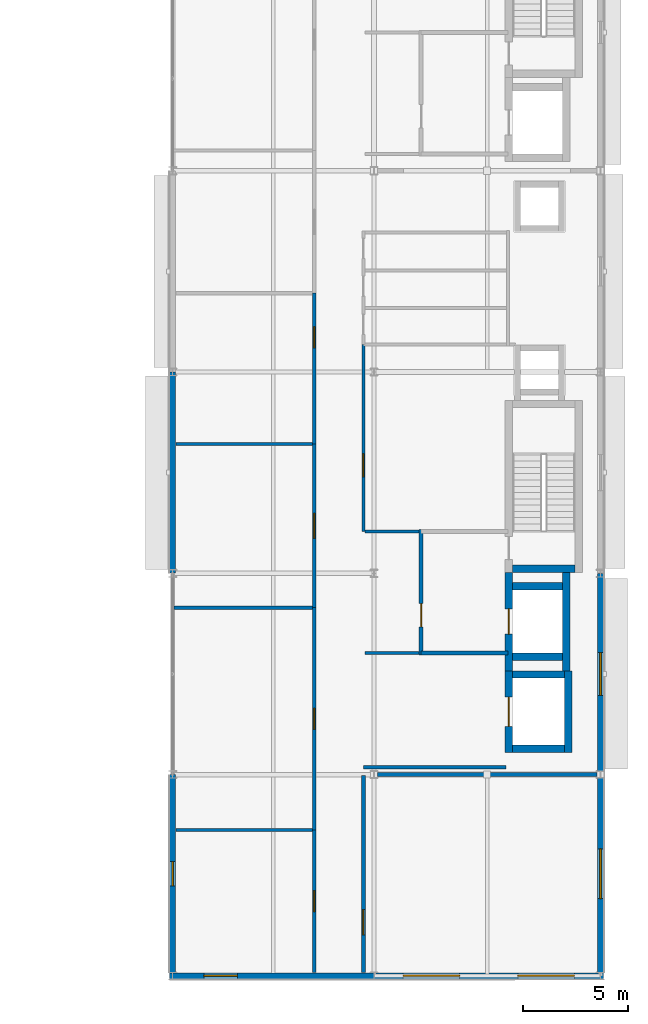
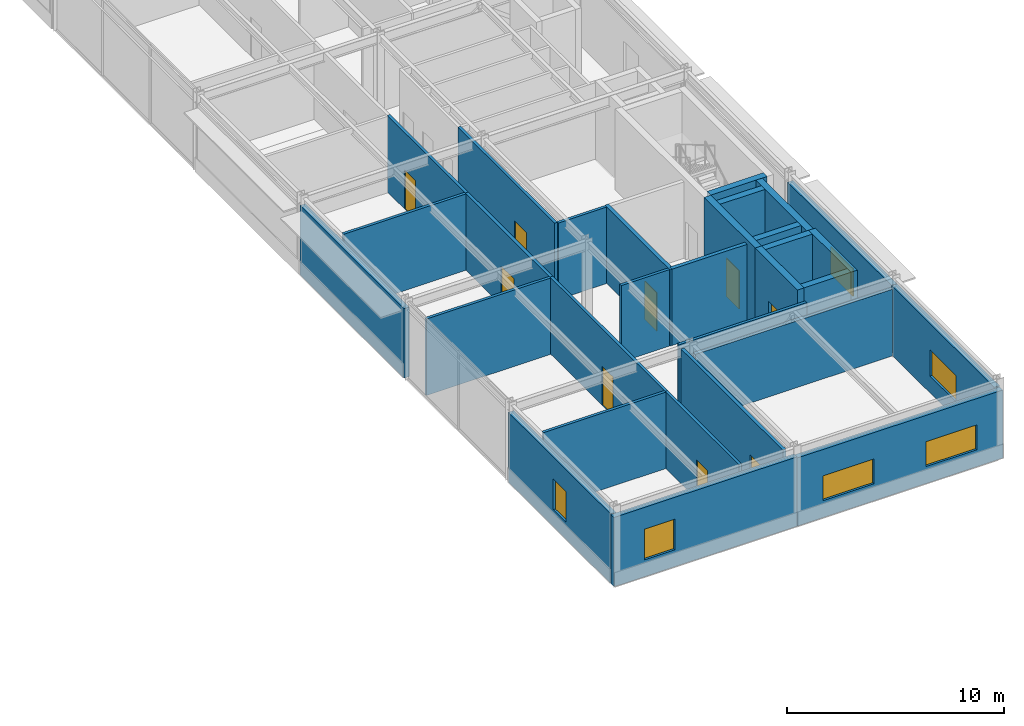
# One storey, part 36 of 50: 30 walls, 9 doors, 6 windows, 15 openings.
"""IFC4 building model written with IfcOpenShell, lengths in metres."""

from ifc_helpers import new_model, si_unit, direction, frame, frame_2d, origin, place, context, subcontext, project, spatial, rectangle, extrude, material, layer, layer_set, type_object, element, fill, save


model = new_model("IFC4")

# Units and contexts
model_context = context("Model", 3, precision=1e-05, world=origin(), true_north=direction((0.0, 1.0)))
body_context = subcontext(model_context, "Body", "Model", "MODEL_VIEW")
ifc_project = project(units=[si_unit("LENGTHUNIT", "METRE"), si_unit("AREAUNIT", "SQUARE_METRE"), si_unit("VOLUMEUNIT", "CUBIC_METRE"), si_unit("PLANEANGLEUNIT", "RADIAN"), si_unit("MASSUNIT", "GRAM", prefix="KILO")], contexts=[model_context])

# Site, building, storey
site_placement = place(None, origin())
site = spatial("IfcSite", under=ifc_project, at=site_placement, CompositionType="ELEMENT")
building_placement = place(site_placement, origin())
building = spatial("IfcBuilding", under=site, at=building_placement, Name="Almandine Court Research Institute", CompositionType="ELEMENT")
storey_placement = place(building_placement, frame((0.0, 0.0, 23.449951171875)))
storey = spatial("IfcBuildingStorey", under=building, at=storey_placement, Name="L05", CompositionType="ELEMENT", Elevation=23.449951171875)

# Wall, opening, window
ifc_material_1 = material(Name="Insulated Ochre Terracotta Rainscreen Wall", Category="masonry")
ifc_layer_1 = layer(ifc_material_1, 0.2900390625)
ifc_layer_set_1 = layer_set([ifc_layer_1], Name="Insulated Ochre Terracotta Rainscreen Wall")
wall_type_1 = type_object("IfcWallType", Name="Wall-EXT-TERR-290", PredefinedType="SOLIDWALL", material=ifc_layer_set_1)
wall_1_placement = place(storey_placement, frame((153.60009765625, 6.14892578125, 0.0), z_axis=(0.0, 0.0, 1.0), x_axis=(0.0, 1.0, 0.0)))
wall_1 = element("IfcWall", 1, at=wall_1_placement, inside=storey, type_object=wall_type_1, Name="L05 Wet Lab West Facade Wall 1", PredefinedType="SOLIDWALL", context=body_context, shape_type="SweptSolid", body=[
    extrude(rectangle(XDim=9.447021484375, YDim=0.2900390625, at=frame_2d((4.7236328125, 0.0))), origin(), (0.0, 0.0, 1.0), 3.907958984375),
])
opening_1_placement = place(wall_1_placement, frame((4.14306640625, 0.0, 0.949951171875)))
opening_1 = element("IfcOpeningElement", 2, at=opening_1_placement, cuts=wall_1, Name="Opening WN-83", PredefinedType="OPENING", context=body_context, shape_type="SweptSolid", body=[
    extrude(rectangle(XDim=1.159912109375, YDim=1.719970703125, at=frame_2d((0.580078125, 0.85986328125))), frame((0.0, 0.155029296875, 0.0), z_axis=(0.0, -1.0, 0.0), x_axis=(1.0, 0.0, 0.0)), (0.0, 0.0, 1.0), 0.31005859375),
])
ifc_material_2 = material(Name="Thermally Broken Low-E Double-Glazed Window", Category="glass")
window_type_1 = type_object("IfcWindowType", Name="Win-WN-83-1160x1720", PartitioningType="SINGLE_PANEL", PredefinedType="WINDOW", material=ifc_material_2)
window_1_placement = place(opening_1_placement, origin())
window_1 = element("IfcWindow", 3, at=window_1_placement, inside=storey, type_object=window_type_1, Name="L05 Modular Recessed Low-E Window 146", OverallHeight=1.719970703125, OverallWidth=1.159912109375, PartitioningType="SINGLE_PANEL", PredefinedType="WINDOW", context=body_context, shape_type="SweptSolid", body=[
    extrude(rectangle(XDim=1.159912109375, YDim=1.719970703125, at=frame_2d((0.580078125, 0.85986328125))), frame((0.0, 0.030029296875, 0.0), z_axis=(0.0, -1.0, 0.0), x_axis=(1.0, 0.0, 0.0)), (0.0, 0.0, 1.0), 0.06005859375),
])
fill(opening_1, window_1)

# Wall
wall_2_placement = place(storey_placement, frame((153.60009765625, 25.2041015625, 0.0), z_axis=(0.0, 0.0, 1.0), x_axis=(0.0, 1.0, 0.0)))
element("IfcWall", 4, at=wall_2_placement, inside=storey, type_object=wall_type_1, Name="L05 Wet Lab West Facade Wall 3", PredefinedType="SOLIDWALL", context=body_context, shape_type="SweptSolid", body=[
    extrude(rectangle(XDim=9.591796875, YDim=0.2900390625, at=frame_2d((4.7958984375, 0.0))), origin(), (0.0, 0.0, 1.0), 3.907958984375),
])

# Wall, opening, window
wall_3_placement = place(storey_placement, frame((174.0, 25.196044921875, 0.0), z_axis=(0.0, 0.0, 1.0), x_axis=(0.0, -1.0, 0.0)))
wall_3 = element("IfcWall", 5, at=wall_3_placement, inside=storey, type_object=wall_type_1, Name="L05 Wet Lab East Facade Wall 2", PredefinedType="SOLIDWALL", context=body_context, shape_type="SweptSolid", body=[
    extrude(rectangle(XDim=9.592041015625, YDim=0.2900390625, at=frame_2d((4.7958984375, 0.0))), origin(), (0.0, 0.0, 1.0), 3.899169921875),
])
opening_2_placement = place(wall_3_placement, frame((3.77587890625, 0.0, 0.949951171875)))
opening_2 = element("IfcOpeningElement", 6, at=opening_2_placement, cuts=wall_3, Name="Opening WN-18", PredefinedType="OPENING", context=body_context, shape_type="SweptSolid", body=[
    extrude(rectangle(XDim=2.0400390625, YDim=1.56005859375, at=frame_2d((1.02001953125, 0.780029296875))), frame((0.0, 0.155029296875, 0.0), z_axis=(0.0, -1.0, 0.0), x_axis=(1.0, 0.0, 0.0)), (0.0, 0.0, 1.0), 0.31005859375),
])
window_type_2 = type_object("IfcWindowType", Name="Win-WN-18-2040x1560", PartitioningType="SINGLE_PANEL", PredefinedType="WINDOW", material=ifc_material_2)
window_2_placement = place(opening_2_placement, origin())
window_2 = element("IfcWindow", 7, at=window_2_placement, inside=storey, type_object=window_type_2, Name="L05 Modular Recessed Low-E Window 154", OverallHeight=1.56005859375, OverallWidth=2.0400390625, PartitioningType="SINGLE_PANEL", PredefinedType="WINDOW", context=body_context, shape_type="SweptSolid", body=[
    extrude(rectangle(XDim=2.0400390625, YDim=1.56005859375, at=frame_2d((1.02001953125, 0.780029296875))), frame((0.0, 0.030029296875, 0.0), z_axis=(0.0, -1.0, 0.0), x_axis=(1.0, 0.0, 0.0)), (0.0, 0.0, 1.0), 0.06005859375),
])
fill(opening_2, window_2)

wall_4_placement = place(storey_placement, frame((174.0, 15.595947265625, 0.0), z_axis=(0.0, 0.0, 1.0), x_axis=(0.0, -1.0, 0.0)))
wall_4 = element("IfcWall", 8, at=wall_4_placement, inside=storey, type_object=wall_type_1, Name="L05 Wet Lab East Facade Wall 1", PredefinedType="SOLIDWALL", context=body_context, shape_type="SweptSolid", body=[
    extrude(rectangle(XDim=9.447021484375, YDim=0.2900390625, at=frame_2d((4.7236328125, 0.0))), origin(), (0.0, 0.0, 1.0), 3.899169921875),
])
opening_3_placement = place(wall_4_placement, frame((3.5380859375, 0.0, 0.949951171875)))
opening_3 = element("IfcOpeningElement", 9, at=opening_3_placement, cuts=wall_4, Name="Opening WN-61", PredefinedType="OPENING", context=body_context, shape_type="SweptSolid", body=[
    extrude(rectangle(XDim=2.3701171875, YDim=1.47998046875, at=frame_2d((1.18505859375, 0.739990234375))), frame((0.0, 0.155029296875, 0.0), z_axis=(0.0, -1.0, 0.0), x_axis=(1.0, 0.0, 0.0)), (0.0, 0.0, 1.0), 0.31005859375),
])
window_type_3 = type_object("IfcWindowType", Name="Win-WN-61-2370x1480", PartitioningType="SINGLE_PANEL", PredefinedType="WINDOW", material=ifc_material_2)
window_3_placement = place(opening_3_placement, origin())
window_3 = element("IfcWindow", 10, at=window_3_placement, inside=storey, type_object=window_type_3, Name="L05 Modular Recessed Low-E Window 155", OverallHeight=1.47998046875, OverallWidth=2.3701171875, PartitioningType="SINGLE_PANEL", PredefinedType="WINDOW", context=body_context, shape_type="SweptSolid", body=[
    extrude(rectangle(XDim=2.3701171875, YDim=1.47998046875, at=frame_2d((1.18505859375, 0.739990234375))), frame((0.0, 0.030029296875, 0.0), z_axis=(0.0, -1.0, 0.0), x_axis=(1.0, 0.0, 0.0)), (0.0, 0.0, 1.0), 0.06005859375),
])
fill(opening_3, window_3)

# Wall, openings, windows
wall_5_placement = place(storey_placement, frame((174.14501953125, 6.0, 0.0), z_axis=(0.0, 0.0, 1.0), x_axis=(-1.0, 0.0, 0.0)))
wall_5 = element("IfcWall", 11, at=wall_5_placement, inside=storey, type_object=wall_type_1, Name="L05 Wet Lab South Wall 1", PredefinedType="SOLIDWALL", context=body_context, shape_type="SweptSolid", body=[
    extrude(rectangle(XDim=10.94091796875, YDim=0.2900390625, at=frame_2d((5.470458984375, 0.0))), origin(), (0.0, 0.0, 1.0), 3.8310546875),
])
opening_4_placement = place(wall_5_placement, frame((1.385009765625, 0.0, 0.949951171875)))
opening_4 = element("IfcOpeningElement", 12, at=opening_4_placement, cuts=wall_5, Name="Opening WN-19", PredefinedType="OPENING", context=body_context, shape_type="SweptSolid", body=[
    extrude(rectangle(XDim=2.699951171875, YDim=1.39990234375, at=frame_2d((1.35009765625, 0.699951171875))), frame((0.0, 0.155029296875, 0.0), z_axis=(0.0, -1.0, 0.0), x_axis=(1.0, 0.0, 0.0)), (0.0, 0.0, 1.0), 0.31005859375),
])
opening_5_placement = place(wall_5_placement, frame((6.85595703125, 0.0, 0.949951171875)))
opening_5 = element("IfcOpeningElement", 13, at=opening_5_placement, cuts=wall_5, Name="Opening WN-19", PredefinedType="OPENING", context=body_context, shape_type="SweptSolid", body=[
    extrude(rectangle(XDim=2.699951171875, YDim=1.39990234375, at=frame_2d((1.35009765625, 0.699951171875))), frame((0.0, 0.155029296875, 0.0), z_axis=(0.0, -1.0, 0.0), x_axis=(1.0, 0.0, 0.0)), (0.0, 0.0, 1.0), 0.31005859375),
])
window_type_4 = type_object("IfcWindowType", Name="Win-WN-19-2700x1400", PartitioningType="SINGLE_PANEL", PredefinedType="WINDOW", material=ifc_material_2)
window_4_placement = place(opening_4_placement, origin())
window_4 = element("IfcWindow", 14, at=window_4_placement, inside=storey, type_object=window_type_4, Name="L05 Modular Recessed Low-E Window 156", OverallHeight=1.39990234375, OverallWidth=2.699951171875, PartitioningType="SINGLE_PANEL", PredefinedType="WINDOW", context=body_context, shape_type="SweptSolid", body=[
    extrude(rectangle(XDim=2.699951171875, YDim=1.39990234375, at=frame_2d((1.35009765625, 0.699951171875))), frame((0.0, 0.030029296875, 0.0), z_axis=(0.0, -1.0, 0.0), x_axis=(1.0, 0.0, 0.0)), (0.0, 0.0, 1.0), 0.06005859375),
])
fill(opening_4, window_4)
window_5_placement = place(opening_5_placement, origin())
window_5 = element("IfcWindow", 15, at=window_5_placement, inside=storey, type_object=window_type_4, Name="L05 Modular Recessed Low-E Window 157", OverallHeight=1.39990234375, OverallWidth=2.699951171875, PartitioningType="SINGLE_PANEL", PredefinedType="WINDOW", context=body_context, shape_type="SweptSolid", body=[
    extrude(rectangle(XDim=2.699951171875, YDim=1.39990234375, at=frame_2d((1.35009765625, 0.699951171875))), frame((0.0, 0.030029296875, 0.0), z_axis=(0.0, -1.0, 0.0), x_axis=(1.0, 0.0, 0.0)), (0.0, 0.0, 1.0), 0.06005859375),
])
fill(opening_5, window_5)

# Wall, opening, window
wall_6_placement = place(storey_placement, frame((163.196044921875, 6.0, 0.0), z_axis=(0.0, 0.0, 1.0), x_axis=(-1.0, 0.0, 0.0)))
wall_6 = element("IfcWall", 16, at=wall_6_placement, inside=storey, type_object=wall_type_1, Name="L05 Wet Lab South Wall 2", PredefinedType="SOLIDWALL", context=body_context, shape_type="SweptSolid", body=[
    extrude(rectangle(XDim=9.740966796875, YDim=0.2900390625, at=frame_2d((4.87060546875, 0.0))), origin(), (0.0, 0.0, 1.0), 3.899169921875),
])
opening_6_placement = place(wall_6_placement, frame((6.506103515625, 0.0, 0.949951171875)))
opening_6 = element("IfcOpeningElement", 17, at=opening_6_placement, cuts=wall_6, Name="Opening WN-62", PredefinedType="OPENING", context=body_context, shape_type="SweptSolid", body=[
    extrude(rectangle(XDim=1.60009765625, YDim=1.719970703125, at=frame_2d((0.800048828125, 0.85986328125))), frame((0.0, 0.155029296875, 0.0), z_axis=(0.0, -1.0, 0.0), x_axis=(1.0, 0.0, 0.0)), (0.0, 0.0, 1.0), 0.31005859375),
])
window_type_5 = type_object("IfcWindowType", Name="Win-WN-62-1600x1720", PartitioningType="SINGLE_PANEL", PredefinedType="WINDOW", material=ifc_material_2)
window_6_placement = place(opening_6_placement, origin())
window_6 = element("IfcWindow", 18, at=window_6_placement, inside=storey, type_object=window_type_5, Name="L05 Modular Recessed Low-E Window 158", OverallHeight=1.719970703125, OverallWidth=1.60009765625, PartitioningType="SINGLE_PANEL", PredefinedType="WINDOW", context=body_context, shape_type="SweptSolid", body=[
    extrude(rectangle(XDim=1.60009765625, YDim=1.719970703125, at=frame_2d((0.800048828125, 0.85986328125))), frame((0.0, 0.030029296875, 0.0), z_axis=(0.0, -1.0, 0.0), x_axis=(1.0, 0.0, 0.0)), (0.0, 0.0, 1.0), 0.06005859375),
])
fill(opening_6, window_6)

# Wall, opening, door
ifc_material_3 = material(Name="One-Hour Fire-Rated Laboratory Partition")
ifc_layer_2 = layer(ifc_material_3, 0.175048828125)
ifc_layer_set_2 = layer_set([ifc_layer_2], Name="One-Hour Fire-Rated Laboratory Partition")
wall_type_2 = type_object("IfcWallType", Name="Wall-FIRE-175", PredefinedType="PARTITIONING", material=ifc_layer_set_2)
wall_7_placement = place(storey_placement, frame((160.35009765625, 23.56005859375, 0.0), z_axis=(0.0, 0.0, 1.0), x_axis=(0.0, 1.0, 0.0)))
wall_7 = element("IfcWall", 19, at=wall_7_placement, inside=storey, type_object=wall_type_2, Name="L05 Interior Partition W-V4-L05-WW-2", PredefinedType="PARTITIONING", context=body_context, shape_type="SweptSolid", body=[
    extrude(rectangle(XDim=7.800048828125, YDim=0.175048828125, at=frame_2d((3.89990234375, 0.0))), origin(), (0.0, 0.0, 1.0), 4.300048828125),
])
opening_7_placement = place(wall_7_placement, frame((3.300048828125, 0.0, 0.0)))
opening_7 = element("IfcOpeningElement", 20, at=opening_7_placement, cuts=wall_7, Name="Opening FD-LAB", PredefinedType="OPENING", context=body_context, shape_type="SweptSolid", body=[
    extrude(rectangle(XDim=1.199951171875, YDim=2.199951171875, at=frame_2d((0.60009765625, 1.10009765625))), frame((0.0, 0.097412109375, 0.0), z_axis=(0.0, -1.0, 0.0), x_axis=(1.0, 0.0, 0.0)), (0.0, 0.0, 1.0), 0.195068359375),
])
ifc_material_4 = material(Name="Fire-Rated Laboratory Containment Door")
door_type_1 = type_object("IfcDoorType", Name="Door-FD-LAB-1200", OperationType="NOTDEFINED", PredefinedType="DOOR", material=ifc_material_4)
door_1_placement = place(opening_7_placement, origin())
door_1 = element("IfcDoor", 21, at=door_1_placement, inside=storey, type_object=door_type_1, Name="L05 Wet Chemistry Laboratory Door", OperationType="SINGLE_SWING_LEFT", OverallHeight=2.199951171875, OverallWidth=1.199951171875, PredefinedType="DOOR", context=body_context, shape_type="SweptSolid", body=[
    extrude(rectangle(XDim=1.199951171875, YDim=2.199951171875, at=frame_2d((0.60009765625, 1.10009765625))), frame((0.0, 0.02490234375, 0.0), z_axis=(0.0, -1.0, 0.0), x_axis=(1.0, 0.0, 0.0)), (0.0, 0.0, 1.0), 0.050048828125),
])
fill(opening_7, door_1)

wall_8_placement = place(storey_placement, frame((162.699951171875, 6.159912109375, 0.0), z_axis=(0.0, 0.0, 1.0), x_axis=(0.0, 1.0, 0.0)))
wall_8 = element("IfcWall", 22, at=wall_8_placement, inside=storey, type_object=wall_type_2, Name="L05 Interior Partition W-V4-L05-EW-S", PredefinedType="PARTITIONING", context=body_context, shape_type="SweptSolid", body=[
    extrude(rectangle(XDim=9.39013671875, YDim=0.175048828125, at=frame_2d((4.695068359375, 0.0))), origin(), (0.0, 0.0, 1.0), 4.300048828125),
])
opening_8_placement = place(wall_8_placement, frame((1.800048828125, 0.0, 0.0)))
opening_8 = element("IfcOpeningElement", 23, at=opening_8_placement, cuts=wall_8, Name="Opening FD-LAB", PredefinedType="OPENING", context=body_context, shape_type="SweptSolid", body=[
    extrude(rectangle(XDim=1.199951171875, YDim=2.199951171875, at=frame_2d((0.60009765625, 1.10009765625))), frame((0.0, 0.097412109375, 0.0), z_axis=(0.0, -1.0, 0.0), x_axis=(1.0, 0.0, 0.0)), (0.0, 0.0, 1.0), 0.195068359375),
])
door_2_placement = place(opening_8_placement, origin())
door_2 = element("IfcDoor", 24, at=door_2_placement, inside=storey, type_object=door_type_1, Name="L05 Analytical Lab Door", OperationType="SINGLE_SWING_LEFT", OverallHeight=2.199951171875, OverallWidth=1.199951171875, PredefinedType="DOOR", context=body_context, shape_type="SweptSolid", body=[
    extrude(rectangle(XDim=1.199951171875, YDim=2.199951171875, at=frame_2d((0.60009765625, 1.10009765625))), frame((0.0, 0.02490234375, 0.0), z_axis=(0.0, -1.0, 0.0), x_axis=(1.0, 0.0, 0.0)), (0.0, 0.0, 1.0), 0.050048828125),
])
fill(opening_8, door_2)

# Wall
ifc_material_5 = material(Name="Two-Hour Fire-Barrier Enclosure Wall")
ifc_layer_3 = layer(ifc_material_5, 0.199951171875)
ifc_layer_set_3 = layer_set([ifc_layer_3], Name="Two-Hour Fire-Barrier Enclosure Wall")
wall_type_3 = type_object("IfcWallType", Name="Wall-FIRE-200", PredefinedType="SOLIDWALL", material=ifc_layer_set_3)
wall_9_placement = place(storey_placement, frame((163.360107421875, 15.60009765625, 0.0), z_axis=(0.0, 0.0, 1.0), x_axis=(1.0, 0.0, 0.0)))
element("IfcWall", 25, at=wall_9_placement, inside=storey, type_object=wall_type_3, Name="L05 Interior Partition W-BF-V4-BF1-L05", PredefinedType="SOLIDWALL", context=body_context, shape_type="SweptSolid", body=[
    extrude(rectangle(XDim=10.47998046875, YDim=0.199951171875, at=frame_2d((5.239990234375, 0.0))), origin(), (0.0, 0.0, 1.0), 3.754150390625),
])

# Wall, opening, door
wall_10_placement = place(storey_placement, frame((165.449951171875, 21.300048828125, 0.0), z_axis=(0.0, 0.0, 1.0), x_axis=(0.0, 1.0, 0.0)))
wall_10 = element("IfcWall", 26, at=wall_10_placement, inside=storey, type_object=wall_type_3, Name="L05 Interior Partition W-FFL1-L05-W", PredefinedType="SOLIDWALL", context=body_context, shape_type="SweptSolid", body=[
    extrude(rectangle(XDim=6.0, YDim=0.199951171875, at=frame_2d((3.0, 0.0))), origin(), (0.0, 0.0, 1.0), 4.300048828125),
])
opening_9_placement = place(wall_10_placement, frame((1.35009765625, 0.0, 0.0)))
opening_9 = element("IfcOpeningElement", 27, at=opening_9_placement, cuts=wall_10, Name="Opening FD-FFL", PredefinedType="OPENING", context=body_context, shape_type="SweptSolid", body=[
    extrude(rectangle(XDim=1.10009765625, YDim=2.14990234375, at=frame_2d((0.550048828125, 1.074951171875))), frame((0.0, 0.10986328125, 0.0), z_axis=(0.0, -1.0, 0.0), x_axis=(1.0, 0.0, 0.0)), (0.0, 0.0, 1.0), 0.219970703125),
])
ifc_material_6 = material(Name="Smoke-Tight Firefighting Lobby Fire Door")
door_type_2 = type_object("IfcDoorType", Name="Door-FD-FFL-1100", OperationType="NOTDEFINED", PredefinedType="DOOR", material=ifc_material_6)
door_3_placement = place(opening_9_placement, origin())
door_3 = element("IfcDoor", 28, at=door_3_placement, inside=storey, type_object=door_type_2, Name="L05 Firefighting Lobby Fire Door 1", OperationType="SINGLE_SWING_LEFT", OverallHeight=2.14990234375, OverallWidth=1.10009765625, PredefinedType="DOOR", context=body_context, shape_type="SweptSolid", body=[
    extrude(rectangle(XDim=1.10009765625, YDim=2.14990234375, at=frame_2d((0.550048828125, 1.074951171875))), frame((0.0, 0.02490234375, 0.0), z_axis=(0.0, -1.0, 0.0), x_axis=(1.0, 0.0, 0.0)), (0.0, 0.0, 1.0), 0.050048828125),
])
fill(opening_9, door_3)

# Wall
wall_11_placement = place(storey_placement, frame((165.449951171875, 21.39990234375, 0.0), z_axis=(0.0, 0.0, 1.0), x_axis=(1.0, 0.0, 0.0)))
element("IfcWall", 29, at=wall_11_placement, inside=storey, type_object=wall_type_3, Name="L05 Interior Partition W-FFL1-L05-S", PredefinedType="SOLIDWALL", context=body_context, shape_type="SweptSolid", body=[
    extrude(rectangle(XDim=4.150146484375, YDim=0.199951171875, at=frame_2d((2.0751953125, 0.0))), origin(), (0.0, 0.0, 1.0), 4.300048828125),
])

# Wall, opening, door
ifc_material_7 = material(Name="Acoustic Steel-Stud Gypsum Partition Wall", Category="steel")
ifc_layer_4 = layer(ifc_material_7, 0.14990234375)
ifc_layer_set_4 = layer_set([ifc_layer_4], Name="Acoustic Steel-Stud Gypsum Partition Wall")
wall_type_4 = type_object("IfcWallType", Name="Wall-PART-150", PredefinedType="PARTITIONING", material=ifc_layer_set_4)
wall_12_placement = place(storey_placement, frame((160.35009765625, 6.159912109375, 0.0), z_axis=(0.0, 0.0, 1.0), x_axis=(0.0, 1.0, 0.0)))
wall_12 = element("IfcWall", 30, at=wall_12_placement, inside=storey, type_object=wall_type_4, Name="L05 Interior Partition W-V4-L05-WW-0", PredefinedType="PARTITIONING", context=body_context, shape_type="SweptSolid", body=[
    extrude(rectangle(XDim=6.800048828125, YDim=0.14990234375, at=frame_2d((3.39990234375, 0.0))), origin(), (0.0, 0.0, 1.0), 4.300048828125),
])
opening_10_placement = place(wall_12_placement, frame((2.89990234375, 0.0, 0.0)))
opening_10 = element("IfcOpeningElement", 31, at=opening_10_placement, cuts=wall_12, Name="Opening D-02", PredefinedType="OPENING", context=body_context, shape_type="SweptSolid", body=[
    extrude(rectangle(XDim=1.0, YDim=2.199951171875, at=frame_2d((0.5, 1.10009765625))), frame((0.0, 0.0849609375, 0.0), z_axis=(0.0, -1.0, 0.0), x_axis=(1.0, 0.0, 0.0)), (0.0, 0.0, 1.0), 0.169921875),
])
ifc_material_8 = material(Name="Solid-Core Timber Researcher Office Door", Category="wood")
door_type_3 = type_object("IfcDoorType", Name="Door-INT-1000", OperationType="NOTDEFINED", PredefinedType="DOOR", material=ifc_material_8)
door_4_placement = place(opening_10_placement, origin())
door_4 = element("IfcDoor", 32, at=door_4_placement, inside=storey, type_object=door_type_3, Name="L05 Instrument Room Door", OperationType="SINGLE_SWING_LEFT", OverallHeight=2.199951171875, OverallWidth=1.0, PredefinedType="DOOR", context=body_context, shape_type="SweptSolid", body=[
    extrude(rectangle(XDim=1.0, YDim=2.199951171875, at=frame_2d((0.5, 1.10009765625))), frame((0.0, 0.02490234375, 0.0), z_axis=(0.0, -1.0, 0.0), x_axis=(1.0, 0.0, 0.0)), (0.0, 0.0, 1.0), 0.050048828125),
])
fill(opening_10, door_4)

# Wall
wall_13_placement = place(storey_placement, frame((153.760009765625, 12.9599609375, 0.0), z_axis=(0.0, 0.0, 1.0), x_axis=(1.0, 0.0, 0.0)))
element("IfcWall", 33, at=wall_13_placement, inside=storey, type_object=wall_type_4, Name="L05 Interior Partition W-V4-L05-WDIV-0", PredefinedType="PARTITIONING", context=body_context, shape_type="SweptSolid", body=[
    extrude(rectangle(XDim=6.510009765625, YDim=0.14990234375, at=frame_2d((3.2548828125, 0.0))), origin(), (0.0, 0.0, 1.0), 4.300048828125),
])

# Wall, opening, door
wall_14_placement = place(storey_placement, frame((160.35009765625, 12.9599609375, 0.0), z_axis=(0.0, 0.0, 1.0), x_axis=(0.0, 1.0, 0.0)))
wall_14 = element("IfcWall", 34, at=wall_14_placement, inside=storey, type_object=wall_type_4, Name="L05 Interior Partition W-V4-L05-WW-1", PredefinedType="PARTITIONING", context=body_context, shape_type="SweptSolid", body=[
    extrude(rectangle(XDim=10.60009765625, YDim=0.14990234375, at=frame_2d((5.300048828125, 0.0))), origin(), (0.0, 0.0, 1.0), 4.300048828125),
])
opening_11_placement = place(wall_14_placement, frame((4.800048828125, 0.0, 0.0)))
opening_11 = element("IfcOpeningElement", 35, at=opening_11_placement, cuts=wall_14, Name="Opening D-02", PredefinedType="OPENING", context=body_context, shape_type="SweptSolid", body=[
    extrude(rectangle(XDim=1.0, YDim=2.199951171875, at=frame_2d((0.5, 1.10009765625))), frame((0.0, 0.0849609375, 0.0), z_axis=(0.0, -1.0, 0.0), x_axis=(1.0, 0.0, 0.0)), (0.0, 0.0, 1.0), 0.169921875),
])
door_5_placement = place(opening_11_placement, origin())
door_5 = element("IfcDoor", 36, at=door_5_placement, inside=storey, type_object=door_type_3, Name="L05 Write-up Office Door", OperationType="SINGLE_SWING_RIGHT", OverallHeight=2.199951171875, OverallWidth=1.0, PredefinedType="DOOR", context=body_context, shape_type="SweptSolid", body=[
    extrude(rectangle(XDim=1.0, YDim=2.199951171875, at=frame_2d((0.5, 1.10009765625))), frame((0.0, 0.02490234375, 0.0), z_axis=(0.0, -1.0, 0.0), x_axis=(1.0, 0.0, 0.0)), (0.0, 0.0, 1.0), 0.050048828125),
])
fill(opening_11, door_5)

# Walls
wall_15_placement = place(storey_placement, frame((153.659912109375, 23.56005859375, 0.0), z_axis=(0.0, 0.0, 1.0), x_axis=(1.0, 0.0, 0.0)))
element("IfcWall", 37, at=wall_15_placement, inside=storey, type_object=wall_type_4, Name="L05 Interior Partition W-V4-L05-WDIV-1", PredefinedType="PARTITIONING", context=body_context, shape_type="SweptSolid", body=[
    extrude(rectangle(XDim=6.610107421875, YDim=0.14990234375, at=frame_2d((3.30517578125, 0.0))), origin(), (0.0, 0.0, 1.0), 4.300048828125),
])
wall_16_placement = place(storey_placement, frame((153.760009765625, 31.360107421875, 0.0), z_axis=(0.0, 0.0, 1.0), x_axis=(1.0, 0.0, 0.0)))
element("IfcWall", 38, at=wall_16_placement, inside=storey, type_object=wall_type_4, Name="L05 Interior Partition W-V4-L05-WDIV-2", PredefinedType="PARTITIONING", context=body_context, shape_type="SweptSolid", body=[
    extrude(rectangle(XDim=6.510009765625, YDim=0.14990234375, at=frame_2d((3.2548828125, 0.0))), origin(), (0.0, 0.0, 1.0), 4.300048828125),
])

# Wall, opening, door
wall_17_placement = place(storey_placement, frame((160.35009765625, 31.360107421875, 0.0), z_axis=(0.0, 0.0, 1.0), x_axis=(0.0, 1.0, 0.0)))
wall_17 = element("IfcWall", 39, at=wall_17_placement, inside=storey, type_object=wall_type_4, Name="L05 Interior Partition W-V4-L05-WW-3", PredefinedType="PARTITIONING", context=body_context, shape_type="SweptSolid", body=[
    extrude(rectangle(XDim=7.199951171875, YDim=0.14990234375, at=frame_2d((3.60009765625, 0.0))), origin(), (0.0, 0.0, 1.0), 4.300048828125),
])
opening_12_placement = place(wall_17_placement, frame((4.590087890625, 0.0, 0.0)))
opening_12 = element("IfcOpeningElement", 40, at=opening_12_placement, cuts=wall_17, Name="Opening D-02", PredefinedType="OPENING", context=body_context, shape_type="SweptSolid", body=[
    extrude(rectangle(XDim=1.0, YDim=2.199951171875, at=frame_2d((0.5, 1.10009765625))), frame((0.0, 0.0849609375, 0.0), z_axis=(0.0, -1.0, 0.0), x_axis=(1.0, 0.0, 0.0)), (0.0, 0.0, 1.0), 0.169921875),
])
door_6_placement = place(opening_12_placement, origin())
door_6 = element("IfcDoor", 41, at=door_6_placement, inside=storey, type_object=door_type_3, Name="L05 Faculty Study Door", OperationType="SINGLE_SWING_RIGHT", OverallHeight=2.199951171875, OverallWidth=1.0, PredefinedType="DOOR", context=body_context, shape_type="SweptSolid", body=[
    extrude(rectangle(XDim=1.0, YDim=2.199951171875, at=frame_2d((0.5, 1.10009765625))), frame((0.0, 0.02490234375, 0.0), z_axis=(0.0, -1.0, 0.0), x_axis=(1.0, 0.0, 0.0)), (0.0, 0.0, 1.0), 0.050048828125),
])
fill(opening_12, door_6)

# Wall
wall_18_placement = place(storey_placement, frame((162.780029296875, 27.199951171875, 0.0), z_axis=(0.0, 0.0, 1.0), x_axis=(1.0, 0.0, 0.0)))
element("IfcWall", 42, at=wall_18_placement, inside=storey, type_object=wall_type_4, Name="L05 Interior Partition W-V4-L05-SPEC-S", PredefinedType="PARTITIONING", context=body_context, shape_type="SweptSolid", body=[
    extrude(rectangle(XDim=2.570068359375, YDim=0.14990234375, at=frame_2d((1.28515625, 0.0))), origin(), (0.0, 0.0, 1.0), 4.300048828125),
])

# Wall, opening, door
wall_19_placement = place(storey_placement, frame((162.699951171875, 27.199951171875, 0.0), z_axis=(0.0, 0.0, 1.0), x_axis=(0.0, 1.0, 0.0)))
wall_19 = element("IfcWall", 43, at=wall_19_placement, inside=storey, type_object=wall_type_4, Name="L05 Interior Partition W-V4-L05-EW-M", PredefinedType="PARTITIONING", context=body_context, shape_type="SweptSolid", body=[
    extrude(rectangle(XDim=8.920166015625, YDim=0.14990234375, at=frame_2d((4.4599609375, 0.0))), origin(), (0.0, 0.0, 1.0), 4.300048828125),
])
opening_13_placement = place(wall_19_placement, frame((2.60009765625, 0.0, 0.0)))
opening_13 = element("IfcOpeningElement", 44, at=opening_13_placement, cuts=wall_19, Name="Opening D-03", PredefinedType="OPENING", context=body_context, shape_type="SweptSolid", body=[
    extrude(rectangle(XDim=1.10009765625, YDim=2.199951171875, at=frame_2d((0.550048828125, 1.10009765625))), frame((0.0, 0.0849609375, 0.0), z_axis=(0.0, -1.0, 0.0), x_axis=(1.0, 0.0, 0.0)), (0.0, 0.0, 1.0), 0.169921875),
])
ifc_material_9 = material(Name="Acoustic Vision-Panel Seminar Door")
door_type_4 = type_object("IfcDoorType", Name="Door-INT-1100", OperationType="NOTDEFINED", PredefinedType="DOOR", material=ifc_material_9)
door_7_placement = place(opening_13_placement, origin())
door_7 = element("IfcDoor", 45, at=door_7_placement, inside=storey, type_object=door_type_4, Name="L05 Spectroscopy Suite Door", OperationType="SINGLE_SWING_RIGHT", OverallHeight=2.199951171875, OverallWidth=1.10009765625, PredefinedType="DOOR", context=body_context, shape_type="SweptSolid", body=[
    extrude(rectangle(XDim=1.10009765625, YDim=2.199951171875, at=frame_2d((0.550048828125, 1.10009765625))), frame((0.0, 0.02490234375, 0.0), z_axis=(0.0, -1.0, 0.0), x_axis=(1.0, 0.0, 0.0)), (0.0, 0.0, 1.0), 0.050048828125),
])
fill(opening_13, door_7)

# Walls
wall_20_placement = place(storey_placement, frame((162.780029296875, 21.39990234375, 0.0), z_axis=(0.0, 0.0, 1.0), x_axis=(1.0, 0.0, 0.0)))
element("IfcWall", 46, at=wall_20_placement, inside=storey, type_object=wall_type_4, Name="L05 Interior Partition W-V4-L05-FFL1-CS", PredefinedType="PARTITIONING", context=body_context, shape_type="SweptSolid", body=[
    extrude(rectangle(XDim=2.570068359375, YDim=0.14990234375, at=frame_2d((1.28515625, 0.0))), origin(), (0.0, 0.0, 1.0), 4.300048828125),
])
wall_21_placement = place(storey_placement, frame((162.699951171875, 15.949951171875, 0.0), z_axis=(0.0, 0.0, 1.0), x_axis=(1.0, 0.0, 0.0)))
element("IfcWall", 47, at=wall_21_placement, inside=storey, type_object=wall_type_4, Name="L05 Interior Partition W-V4-L05-GL1-CS", PredefinedType="PARTITIONING", context=body_context, shape_type="SweptSolid", body=[
    extrude(rectangle(XDim=6.800048828125, YDim=0.14990234375, at=frame_2d((3.39990234375, 0.0))), origin(), (0.0, 0.0, 1.0), 4.300048828125),
])
ifc_material_10 = material(Name="Concrete C40/50", Category="concrete")
ifc_layer_5 = layer(ifc_material_10, 0.35009765625)
ifc_layer_set_5 = layer_set([ifc_layer_5], Name="Concrete C40/50")
wall_type_5 = type_object("IfcWallType", Name="Wall-SW-CORE-350", PredefinedType="SHEAR", material=ifc_layer_set_5)
wall_22_placement = place(storey_placement, frame((172.800048828125, 25.425048828125, 0.0), z_axis=(0.0, 0.0, 1.0), x_axis=(-1.0, 0.0, 0.0)))
element("IfcWall", 48, at=wall_22_placement, inside=storey, type_object=wall_type_5, Name="L05 ST-07 S Shear Wall", PredefinedType="SHEAR", context=body_context, shape_type="SweptSolid", body=[
    extrude(rectangle(XDim=3.0, YDim=0.35009765625, at=frame_2d((1.5, 0.0))), origin(), (0.0, 0.0, 1.0), 4.550048828125),
])

# Wall, opening, door
wall_23_placement = place(storey_placement, frame((169.625, 20.550048828125, 0.0), z_axis=(0.0, 0.0, 1.0), x_axis=(0.0, 1.0, 0.0)))
wall_23 = element("IfcWall", 49, at=wall_23_placement, inside=storey, type_object=wall_type_5, Name="L05 FL-01 Hoistway W Shear Wall", PredefinedType="SHEAR", context=body_context, shape_type="SweptSolid", body=[
    extrude(rectangle(XDim=4.699951171875, YDim=0.35009765625, at=frame_2d((2.35009765625, 0.0))), origin(), (0.0, 0.0, 1.0), 4.550048828125),
])
opening_14_placement = place(wall_23_placement, frame((1.75, 0.0, 0.0)))
opening_14 = element("IfcOpeningElement", 50, at=opening_14_placement, cuts=wall_23, Name="Opening LD-02", PredefinedType="OPENING", context=body_context, shape_type="SweptSolid", body=[
    extrude(rectangle(XDim=1.199951171875, YDim=2.14990234375, at=frame_2d((0.60009765625, 1.074951171875))), frame((0.0, 0.18505859375, 0.0), z_axis=(0.0, -1.0, 0.0), x_axis=(1.0, 0.0, 0.0)), (0.0, 0.0, 1.0), 0.3701171875),
])
ifc_material_11 = material(Name="Firefighting Lift Landing Sliding Door")
door_type_5 = type_object("IfcDoorType", Name="Door-LD-FSAE-1200", OperationType="SLIDING_TO_LEFT", PredefinedType="USERDEFINED", material=ifc_material_11)
door_8_placement = place(opening_14_placement, origin())
door_8 = element("IfcDoor", 51, at=door_8_placement, inside=storey, type_object=door_type_5, Name="L05 Firefighting Lift FL-01 Sliding Landing Door", ObjectType="LANDING DOOR", OperationType="SLIDING_TO_LEFT", OverallHeight=2.14990234375, OverallWidth=1.199951171875, PredefinedType="USERDEFINED", context=body_context, shape_type="SweptSolid", body=[
    extrude(rectangle(XDim=1.199951171875, YDim=2.14990234375, at=frame_2d((0.60009765625, 1.074951171875))), frame((0.0, 0.02490234375, 0.0), z_axis=(0.0, -1.0, 0.0), x_axis=(1.0, 0.0, 0.0)), (0.0, 0.0, 1.0), 0.050048828125),
])
fill(opening_14, door_8)

# Walls
wall_24_placement = place(storey_placement, frame((169.800048828125, 24.574951171875, 0.0), z_axis=(0.0, 0.0, 1.0), x_axis=(1.0, 0.0, 0.0)))
element("IfcWall", 52, at=wall_24_placement, inside=storey, type_object=wall_type_5, Name="L05 FL-01 Hoistway N Shear Wall", PredefinedType="SHEAR", context=body_context, shape_type="SweptSolid", body=[
    extrude(rectangle(XDim=2.39990234375, YDim=0.35009765625, at=frame_2d((1.199951171875, 0.0))), origin(), (0.0, 0.0, 1.0), 4.550048828125),
])
wall_25_placement = place(storey_placement, frame((172.375, 25.25, 0.0), z_axis=(0.0, 0.0, 1.0), x_axis=(0.0, -1.0, 0.0)))
element("IfcWall", 53, at=wall_25_placement, inside=storey, type_object=wall_type_5, Name="L05 FL-01 Hoistway E Shear Wall", PredefinedType="SHEAR", context=body_context, shape_type="SweptSolid", body=[
    extrude(rectangle(XDim=4.699951171875, YDim=0.35009765625, at=frame_2d((2.35009765625, 0.0))), origin(), (0.0, 0.0, 1.0), 4.550048828125),
])
wall_26_placement = place(storey_placement, frame((172.199951171875, 21.22509765625, 0.0), z_axis=(0.0, 0.0, 1.0), x_axis=(-1.0, 0.0, 0.0)))
element("IfcWall", 54, at=wall_26_placement, inside=storey, type_object=wall_type_5, Name="L05 FL-01 Hoistway S Shear Wall", PredefinedType="SHEAR", context=body_context, shape_type="SweptSolid", body=[
    extrude(rectangle(XDim=2.39990234375, YDim=0.35009765625, at=frame_2d((1.199951171875, 0.0))), origin(), (0.0, 0.0, 1.0), 4.550048828125),
])

# Wall, opening, door
wall_27_placement = place(storey_placement, frame((169.625, 16.64990234375, 0.0), z_axis=(0.0, 0.0, 1.0), x_axis=(0.0, 1.0, 0.0)))
wall_27 = element("IfcWall", 55, at=wall_27_placement, inside=storey, type_object=wall_type_5, Name="L05 GL-01 Hoistway W Shear Wall", PredefinedType="SHEAR", context=body_context, shape_type="SweptSolid", body=[
    extrude(rectangle(XDim=3.900146484375, YDim=0.35009765625, at=frame_2d((1.9501953125, 0.0))), origin(), (0.0, 0.0, 1.0), 4.550048828125),
])
opening_15_placement = place(wall_27_placement, frame((1.25, 0.0, 0.0)))
opening_15 = element("IfcOpeningElement", 56, at=opening_15_placement, cuts=wall_27, Name="Opening LD-03", PredefinedType="OPENING", context=body_context, shape_type="SweptSolid", body=[
    extrude(rectangle(XDim=1.39990234375, YDim=2.300048828125, at=frame_2d((0.699951171875, 1.14990234375))), frame((0.0, 0.18505859375, 0.0), z_axis=(0.0, -1.0, 0.0), x_axis=(1.0, 0.0, 0.0)), (0.0, 0.0, 1.0), 0.3701171875),
])
ifc_material_12 = material(Name="Heavy Goods Lift Landing Sliding Door")
door_type_6 = type_object("IfcDoorType", Name="Door-LD-GOOD-1400", OperationType="SLIDING_TO_LEFT", PredefinedType="USERDEFINED", material=ifc_material_12)
door_9_placement = place(opening_15_placement, origin())
door_9 = element("IfcDoor", 57, at=door_9_placement, inside=storey, type_object=door_type_6, Name="L05 Wet Laboratory Goods Lift GL-01 Sliding Landing Door", ObjectType="LANDING DOOR", OperationType="SLIDING_TO_LEFT", OverallHeight=2.300048828125, OverallWidth=1.39990234375, PredefinedType="USERDEFINED", context=body_context, shape_type="SweptSolid", body=[
    extrude(rectangle(XDim=1.39990234375, YDim=2.300048828125, at=frame_2d((0.699951171875, 1.14990234375))), frame((0.0, 0.02490234375, 0.0), z_axis=(0.0, -1.0, 0.0), x_axis=(1.0, 0.0, 0.0)), (0.0, 0.0, 1.0), 0.050048828125),
])
fill(opening_15, door_9)

# Walls
wall_28_placement = place(storey_placement, frame((169.800048828125, 20.375, 0.0), z_axis=(0.0, 0.0, 1.0), x_axis=(1.0, 0.0, 0.0)))
element("IfcWall", 58, at=wall_28_placement, inside=storey, type_object=wall_type_5, Name="L05 GL-01 Hoistway N Shear Wall", PredefinedType="SHEAR", context=body_context, shape_type="SweptSolid", body=[
    extrude(rectangle(XDim=2.5, YDim=0.35009765625, at=frame_2d((1.25, 0.0))), origin(), (0.0, 0.0, 1.0), 4.550048828125),
])
wall_29_placement = place(storey_placement, frame((172.47509765625, 20.550048828125, 0.0), z_axis=(0.0, 0.0, 1.0), x_axis=(0.0, -1.0, 0.0)))
element("IfcWall", 59, at=wall_29_placement, inside=storey, type_object=wall_type_5, Name="L05 GL-01 Hoistway E Shear Wall", PredefinedType="SHEAR", context=body_context, shape_type="SweptSolid", body=[
    extrude(rectangle(XDim=3.900146484375, YDim=0.35009765625, at=frame_2d((1.9501953125, 0.0))), origin(), (0.0, 0.0, 1.0), 4.550048828125),
])
wall_30_placement = place(storey_placement, frame((172.300048828125, 16.824951171875, 0.0), z_axis=(0.0, 0.0, 1.0), x_axis=(-1.0, 0.0, 0.0)))
element("IfcWall", 60, at=wall_30_placement, inside=storey, type_object=wall_type_5, Name="L05 GL-01 Hoistway S Shear Wall", PredefinedType="SHEAR", context=body_context, shape_type="SweptSolid", body=[
    extrude(rectangle(XDim=2.5, YDim=0.35009765625, at=frame_2d((1.25, 0.0))), origin(), (0.0, 0.0, 1.0), 4.550048828125),
])

save(model, "model.ifc")
